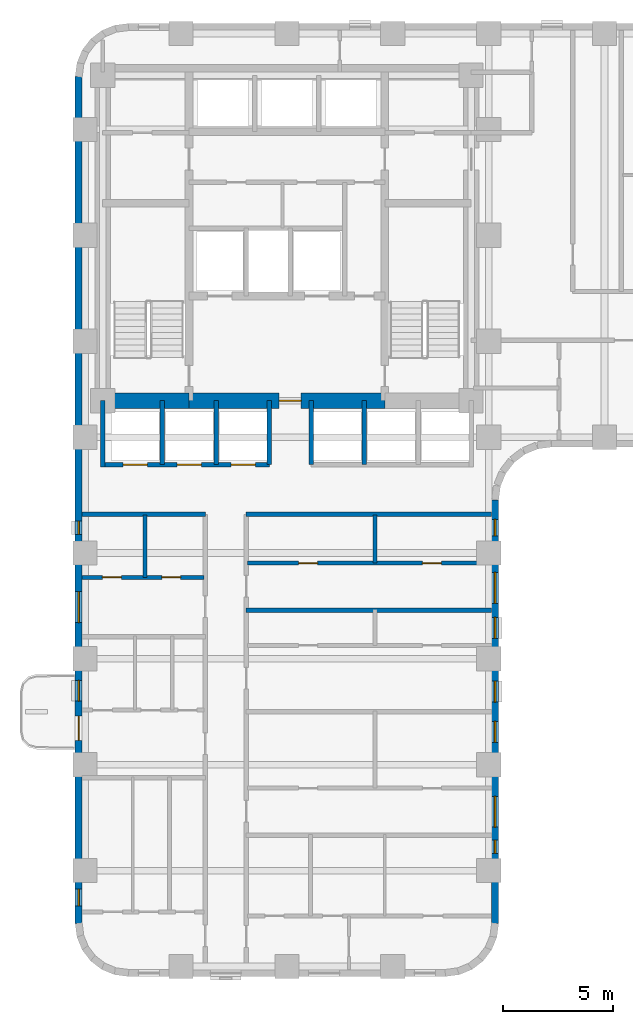
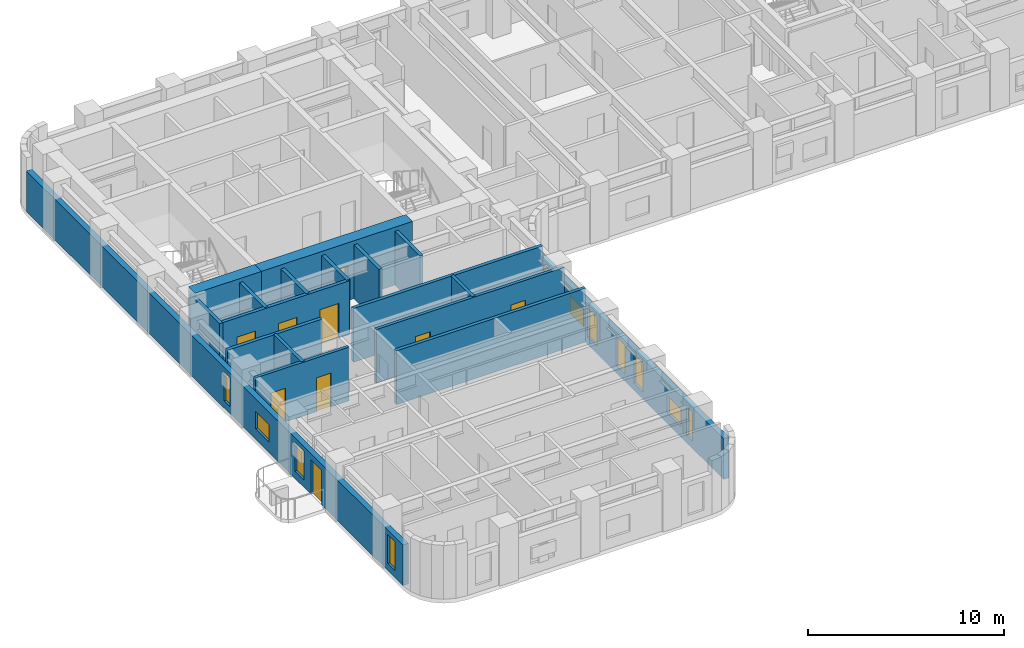
# One storey, part 4 of 12: 18 walls, 11 windows, 9 doors, 20 openings.
"""IFC4 building model written with IfcOpenShell, lengths in metres."""

from ifc_helpers import new_model, si_unit, direction, frame, frame_2d, origin, place, context, subcontext, project, spatial, rectangle, extrude, material, layer, layer_set, type_object, element, fill, save


model = new_model("IFC4")

# Units and contexts
model_context = context("Model", 3, precision=1e-05, world=origin(), true_north=direction((0.0, 1.0)))
body_context = subcontext(model_context, "Body", "Model", "MODEL_VIEW")
ifc_project = project(units=[si_unit("LENGTHUNIT", "METRE"), si_unit("AREAUNIT", "SQUARE_METRE"), si_unit("VOLUMEUNIT", "CUBIC_METRE"), si_unit("PLANEANGLEUNIT", "RADIAN"), si_unit("MASSUNIT", "GRAM", prefix="KILO")], contexts=[model_context])

# Site, building, storey
site_placement = place(None, origin())
site = spatial("IfcSite", under=ifc_project, at=site_placement, CompositionType="ELEMENT")
building_placement = place(site_placement, origin())
building = spatial("IfcBuilding", under=site, at=building_placement, Name="Orvandelia Arch Residences", CompositionType="ELEMENT")
storey_placement = place(building_placement, frame((0.0, 0.0, 39.39990234375)))
storey = spatial("IfcBuildingStorey", under=building, at=storey_placement, Name="L09", CompositionType="ELEMENT", Elevation=39.39990234375)

# Wall
ifc_material_1 = material(Name="Concrete C80/95", Category="concrete")
ifc_layer_1 = layer(ifc_material_1, 0.699951171875, Name="Concrete C80/95", Category="concrete")
ifc_layer_set_1 = layer_set([ifc_layer_1], Name="Concrete C80/95")
wall_type_1 = type_object("IfcWallType", Name="WL-CORE-700", PredefinedType="SHEAR", material=ifc_layer_set_1)
wall_1_placement = place(storey_placement, frame((6.050048828125, 30.89990234375, 0.0), z_axis=(0.0, 0.0, 1.0), x_axis=(1.0, 0.0, 0.0)))
element("IfcWall", 1, at=wall_1_placement, inside=storey, type_object=wall_type_1, Name="Core Shear Wall L09-SW", PredefinedType="SHEAR", context=body_context, shape_type="SweptSolid", body=[
    extrude(rectangle(XDim=3.909912109375, YDim=0.699951171875, at=frame_2d((1.955078125, 0.0))), origin(), (0.0, 0.0, 1.0), 3.60009765625),
])

# Wall, opening, door
wall_2_placement = place(storey_placement, frame((9.9599609375, 30.89990234375, 0.0), z_axis=(0.0, 0.0, 1.0), x_axis=(1.0, 0.0, 0.0)))
wall_2 = element("IfcWall", 2, at=wall_2_placement, inside=storey, type_object=wall_type_1, Name="Core Shear Wall L09-SM", PredefinedType="SHEAR", context=body_context, shape_type="SweptSolid", body=[
    extrude(rectangle(XDim=8.880126953125, YDim=0.699951171875, at=frame_2d((4.43994140625, 0.0))), origin(), (0.0, 0.0, 1.0), 3.60009765625),
])
opening_1_placement = place(wall_2_placement, frame((4.090087890625, 0.0, 0.0)))
opening_1 = element("IfcOpeningElement", 3, at=opening_1_placement, cuts=wall_2, Name="Opening D6", PredefinedType="OPENING", context=body_context, shape_type="SweptSolid", body=[
    extrude(rectangle(XDim=1.0, YDim=2.14990234375, at=frame_2d((0.5, 1.074951171875))), frame((0.0, 0.35986328125, 0.0), z_axis=(0.0, -1.0, 0.0), x_axis=(1.0, 0.0, 0.0)), (0.0, 0.0, 1.0), 0.719970703125),
])
ifc_material_2 = material(Name="Smokeproof Painted Steel Fire Door", Category="steel")
door_type_1 = type_object("IfcDoorType", Name="DR-FD60-1000", OperationType="NOTDEFINED", PredefinedType="DOOR", material=ifc_material_2)
door_1_placement = place(opening_1_placement, origin())
door_1 = element("IfcDoor", 4, at=door_1_placement, inside=storey, type_object=door_type_1, Name="Firefighting Lobby Smokeproof Door L09", OperationType="SINGLE_SWING_LEFT", OverallHeight=2.14990234375, OverallWidth=1.0, PredefinedType="DOOR", context=body_context, shape_type="SweptSolid", body=[
    extrude(rectangle(XDim=1.0, YDim=2.14990234375, at=frame_2d((0.5, 1.074951171875))), frame((0.0, 0.02490234375, 0.0), z_axis=(0.0, -1.0, 0.0), x_axis=(1.0, 0.0, 0.0)), (0.0, 0.0, 1.0), 0.050048828125),
])
fill(opening_1, door_1)

# Walls
ifc_material_3 = material(Name="Fire-Rated Corridor Partition")
ifc_layer_2 = layer(ifc_material_3, 0.199951171875, Name="Fire-Rated Corridor Partition")
ifc_layer_set_2 = layer_set([ifc_layer_2], Name="Fire-Rated Corridor Partition")
wall_type_2 = type_object("IfcWallType", Name="WL-CORR-200", PredefinedType="PARTITIONING", material=ifc_layer_set_2)
wall_3_placement = place(storey_placement, frame((5.1201171875, 25.75, 0.0), z_axis=(0.0, 0.0, 1.0), x_axis=(1.0, 0.0, 0.0)))
element("IfcWall", 5, at=wall_3_placement, inside=storey, type_object=wall_type_2, Name="Interior Partition Wall WL-L09-WCLS-W", PredefinedType="PARTITIONING", context=body_context, shape_type="SweptSolid", body=[
    extrude(rectangle(XDim=5.579833984375, YDim=0.199951171875, at=frame_2d((2.7900390625, 0.0))), origin(), (0.0, 0.0, 1.0), 3.35009765625),
])
wall_4_placement = place(storey_placement, frame((12.550048828125, 25.75, 0.0), z_axis=(0.0, 0.0, 1.0), x_axis=(1.0, 0.0, 0.0)))
element("IfcWall", 6, at=wall_4_placement, inside=storey, type_object=wall_type_2, Name="Interior Partition Wall WL-L09-WCLS-E", PredefinedType="PARTITIONING", context=body_context, shape_type="SweptSolid", body=[
    extrude(rectangle(XDim=11.1298828125, YDim=0.199951171875, at=frame_2d((5.56494140625, 0.0))), origin(), (0.0, 0.0, 1.0), 3.35009765625),
])
ifc_material_4 = material(Name="Concrete C40/50", Category="concrete")
ifc_layer_3 = layer(ifc_material_4, 0.199951171875, Name="Concrete C40/50", Category="concrete")
ifc_layer_set_3 = layer_set([ifc_layer_3], Name="Concrete C40/50")
wall_type_3 = type_object("IfcWallType", Name="WL-DEM-200", PredefinedType="SOLIDWALL", material=ifc_layer_set_3)
wall_5_placement = place(storey_placement, frame((12.550048828125, 21.39990234375, 0.0), z_axis=(0.0, 0.0, 1.0), x_axis=(1.0, 0.0, 0.0)))
element("IfcWall", 7, at=wall_5_placement, inside=storey, type_object=wall_type_3, Name="Interior Partition Wall WL-L09-DEM-WR-214", PredefinedType="SOLIDWALL", context=body_context, shape_type="SweptSolid", body=[
    extrude(rectangle(XDim=11.1298828125, YDim=0.199951171875, at=frame_2d((5.56494140625, 0.0))), origin(), (0.0, 0.0, 1.0), 3.35009765625),
])

# Wall, openings, windows
ifc_material_5 = material(Name="Precast concrete C40/50", Category="concrete")
ifc_layer_4 = layer(ifc_material_5, 0.320068359375, Name="Precast concrete C40/50", Category="concrete")
ifc_layer_set_4 = layer_set([ifc_layer_4], Name="Precast concrete C40/50")
wall_type_4 = type_object("IfcWallType", Name="WL-EXT-STONE-320", PredefinedType="STANDARD", material=ifc_layer_set_4)
wall_6_placement = place(storey_placement, frame((23.840087890625, 26.39990234375, 0.0), z_axis=(0.0, 0.0, 1.0), x_axis=(0.0, -1.0, 0.0)))
wall_6 = element("IfcWall", 8, at=wall_6_placement, inside=storey, type_object=wall_type_4, Name="Coral-Limestone Precast Facade Wall L09-028", PredefinedType="STANDARD", context=body_context, shape_type="SweptSolid", body=[
    extrude(rectangle(XDim=19.199951171875, YDim=0.320068359375, at=frame_2d((9.60009765625, 0.0))), origin(), (0.0, 0.0, 1.0), 2.530029296875),
])
opening_2_placement = place(wall_6_placement, frame((15.4150390625, 0.0, 0.449951171875)))
opening_2 = element("IfcOpeningElement", 9, at=opening_2_placement, cuts=wall_6, Name="Opening W12", PredefinedType="OPENING", context=body_context, shape_type="SweptSolid", body=[
    extrude(rectangle(XDim=0.60009765625, YDim=1.800048828125, at=frame_2d((0.300048828125, 0.89990234375))), frame((0.0, 0.169921875, 0.0), z_axis=(0.0, -1.0, 0.0), x_axis=(1.0, 0.0, 0.0)), (0.0, 0.0, 1.0), 0.340087890625),
])
opening_3_placement = place(wall_6_placement, frame((13.429931640625, 0.0, 0.64990234375)))
opening_3 = element("IfcOpeningElement", 10, at=opening_3_placement, cuts=wall_6, Name="Opening W10", PredefinedType="OPENING", context=body_context, shape_type="SweptSolid", body=[
    extrude(rectangle(XDim=1.39990234375, YDim=1.10009765625, at=frame_2d((0.699951171875, 0.550048828125))), frame((0.0, 0.169921875, 0.0), z_axis=(0.0, -1.0, 0.0), x_axis=(1.0, 0.0, 0.0)), (0.0, 0.0, 1.0), 0.340087890625),
])
opening_4_placement = place(wall_6_placement, frame((8.2099609375, 0.0, 0.449951171875)))
opening_4 = element("IfcOpeningElement", 11, at=opening_4_placement, cuts=wall_6, Name="Opening W4", PredefinedType="OPENING", context=body_context, shape_type="SweptSolid", body=[
    extrude(rectangle(XDim=0.949951171875, YDim=1.800048828125, at=frame_2d((0.47509765625, 0.89990234375))), frame((0.0, 0.169921875, 0.0), z_axis=(0.0, -1.0, 0.0), x_axis=(1.0, 0.0, 0.0)), (0.0, 0.0, 1.0), 0.340087890625),
])
opening_5_placement = place(wall_6_placement, frame((3.284912109375, 0.0, 0.64990234375)))
opening_5 = element("IfcOpeningElement", 12, at=opening_5_placement, cuts=wall_6, Name="Opening W10", PredefinedType="OPENING", context=body_context, shape_type="SweptSolid", body=[
    extrude(rectangle(XDim=1.39990234375, YDim=1.10009765625, at=frame_2d((0.699951171875, 0.550048828125))), frame((0.0, 0.169921875, 0.0), z_axis=(0.0, -1.0, 0.0), x_axis=(1.0, 0.0, 0.0)), (0.0, 0.0, 1.0), 0.340087890625),
])
opening_6_placement = place(wall_6_placement, frame((10.0400390625, 0.0, 0.449951171875)))
opening_6 = element("IfcOpeningElement", 13, at=opening_6_placement, cuts=wall_6, Name="Opening W4", PredefinedType="OPENING", context=body_context, shape_type="SweptSolid", body=[
    extrude(rectangle(XDim=0.949951171875, YDim=1.800048828125, at=frame_2d((0.47509765625, 0.89990234375))), frame((0.0, 0.169921875, 0.0), z_axis=(0.0, -1.0, 0.0), x_axis=(1.0, 0.0, 0.0)), (0.0, 0.0, 1.0), 0.340087890625),
])
opening_7_placement = place(wall_6_placement, frame((5.320068359375, 0.0, 0.449951171875)))
opening_7 = element("IfcOpeningElement", 14, at=opening_7_placement, cuts=wall_6, Name="Opening W4", PredefinedType="OPENING", context=body_context, shape_type="SweptSolid", body=[
    extrude(rectangle(XDim=0.949951171875, YDim=1.800048828125, at=frame_2d((0.47509765625, 0.89990234375))), frame((0.0, 0.169921875, 0.0), z_axis=(0.0, -1.0, 0.0), x_axis=(1.0, 0.0, 0.0)), (0.0, 0.0, 1.0), 0.340087890625),
])
opening_8_placement = place(wall_6_placement, frame((0.8798828125, 0.0, 0.449951171875)))
opening_8 = element("IfcOpeningElement", 15, at=opening_8_placement, cuts=wall_6, Name="Opening W11", PredefinedType="OPENING", context=body_context, shape_type="SweptSolid", body=[
    extrude(rectangle(XDim=0.75, YDim=1.800048828125, at=frame_2d((0.375, 0.89990234375))), frame((0.0, 0.169921875, 0.0), z_axis=(0.0, -1.0, 0.0), x_axis=(1.0, 0.0, 0.0)), (0.0, 0.0, 1.0), 0.340087890625),
])
ifc_material_6 = material(Name="Tempered Low-E Insulated Glazing", Category="glass")
window_type_1 = type_object("IfcWindowType", Name="WIN-BED-0750x1800", PartitioningType="SINGLE_PANEL", PredefinedType="WINDOW", material=ifc_material_6)
window_1_placement = place(opening_8_placement, origin())
window_1 = element("IfcWindow", 16, at=window_1_placement, inside=storey, type_object=window_type_1, Name="Recessed Punched Window L09-025", OverallHeight=1.800048828125, OverallWidth=0.75, PartitioningType="SINGLE_PANEL", PredefinedType="WINDOW", context=body_context, shape_type="SweptSolid", body=[
    extrude(rectangle(XDim=0.75, YDim=1.800048828125, at=frame_2d((0.375, 0.89990234375))), frame((0.0, 0.030029296875, 0.0), z_axis=(0.0, -1.0, 0.0), x_axis=(1.0, 0.0, 0.0)), (0.0, 0.0, 1.0), 0.06005859375),
])
fill(opening_8, window_1)
window_type_2 = type_object("IfcWindowType", Name="WIN-CLR-1400x1100", PartitioningType="SINGLE_PANEL", PredefinedType="WINDOW", material=ifc_material_6)
window_2_placement = place(opening_3_placement, origin())
window_2 = element("IfcWindow", 17, at=window_2_placement, inside=storey, type_object=window_type_2, Name="Recessed Punched Window L09-020", OverallHeight=1.10009765625, OverallWidth=1.39990234375, PartitioningType="SINGLE_PANEL", PredefinedType="WINDOW", context=body_context, shape_type="SweptSolid", body=[
    extrude(rectangle(XDim=1.39990234375, YDim=1.10009765625, at=frame_2d((0.699951171875, 0.550048828125))), frame((0.0, 0.030029296875, 0.0), z_axis=(0.0, -1.0, 0.0), x_axis=(1.0, 0.0, 0.0)), (0.0, 0.0, 1.0), 0.06005859375),
])
fill(opening_3, window_2)
window_3_placement = place(opening_5_placement, origin())
window_3 = element("IfcWindow", 18, at=window_3_placement, inside=storey, type_object=window_type_2, Name="Recessed Punched Window L09-022", OverallHeight=1.10009765625, OverallWidth=1.39990234375, PartitioningType="SINGLE_PANEL", PredefinedType="WINDOW", context=body_context, shape_type="SweptSolid", body=[
    extrude(rectangle(XDim=1.39990234375, YDim=1.10009765625, at=frame_2d((0.699951171875, 0.550048828125))), frame((0.0, 0.030029296875, 0.0), z_axis=(0.0, -1.0, 0.0), x_axis=(1.0, 0.0, 0.0)), (0.0, 0.0, 1.0), 0.06005859375),
])
fill(opening_5, window_3)
window_type_3 = type_object("IfcWindowType", Name="WIN-LAN-0600x1800", PartitioningType="SINGLE_PANEL", PredefinedType="WINDOW", material=ifc_material_6)
window_4_placement = place(opening_2_placement, origin())
window_4 = element("IfcWindow", 19, at=window_4_placement, inside=storey, type_object=window_type_3, Name="Recessed Punched Window L09-019", OverallHeight=1.800048828125, OverallWidth=0.60009765625, PartitioningType="SINGLE_PANEL", PredefinedType="WINDOW", context=body_context, shape_type="SweptSolid", body=[
    extrude(rectangle(XDim=0.60009765625, YDim=1.800048828125, at=frame_2d((0.300048828125, 0.89990234375))), frame((0.0, 0.030029296875, 0.0), z_axis=(0.0, -1.0, 0.0), x_axis=(1.0, 0.0, 0.0)), (0.0, 0.0, 1.0), 0.06005859375),
])
fill(opening_2, window_4)
window_type_4 = type_object("IfcWindowType", Name="WIN-RES-0950x1800", PartitioningType="SINGLE_PANEL", PredefinedType="WINDOW", material=ifc_material_6)
window_5_placement = place(opening_4_placement, origin())
window_5 = element("IfcWindow", 20, at=window_5_placement, inside=storey, type_object=window_type_4, Name="Recessed Punched Window L09-021", OverallHeight=1.800048828125, OverallWidth=0.949951171875, PartitioningType="SINGLE_PANEL", PredefinedType="WINDOW", context=body_context, shape_type="SweptSolid", body=[
    extrude(rectangle(XDim=0.949951171875, YDim=1.800048828125, at=frame_2d((0.47509765625, 0.89990234375))), frame((0.0, 0.030029296875, 0.0), z_axis=(0.0, -1.0, 0.0), x_axis=(1.0, 0.0, 0.0)), (0.0, 0.0, 1.0), 0.06005859375),
])
fill(opening_4, window_5)
window_6_placement = place(opening_6_placement, origin())
window_6 = element("IfcWindow", 21, at=window_6_placement, inside=storey, type_object=window_type_4, Name="Recessed Punched Window L09-023", OverallHeight=1.800048828125, OverallWidth=0.949951171875, PartitioningType="SINGLE_PANEL", PredefinedType="WINDOW", context=body_context, shape_type="SweptSolid", body=[
    extrude(rectangle(XDim=0.949951171875, YDim=1.800048828125, at=frame_2d((0.47509765625, 0.89990234375))), frame((0.0, 0.030029296875, 0.0), z_axis=(0.0, -1.0, 0.0), x_axis=(1.0, 0.0, 0.0)), (0.0, 0.0, 1.0), 0.06005859375),
])
fill(opening_6, window_6)
window_7_placement = place(opening_7_placement, origin())
window_7 = element("IfcWindow", 22, at=window_7_placement, inside=storey, type_object=window_type_4, Name="Recessed Punched Window L09-024", OverallHeight=1.800048828125, OverallWidth=0.949951171875, PartitioningType="SINGLE_PANEL", PredefinedType="WINDOW", context=body_context, shape_type="SweptSolid", body=[
    extrude(rectangle(XDim=0.949951171875, YDim=1.800048828125, at=frame_2d((0.47509765625, 0.89990234375))), frame((0.0, 0.030029296875, 0.0), z_axis=(0.0, -1.0, 0.0), x_axis=(1.0, 0.0, 0.0)), (0.0, 0.0, 1.0), 0.06005859375),
])
fill(opening_7, window_7)

# Wall, openings, door, windows
wall_7_placement = place(storey_placement, frame((4.9599609375, 7.199951171875, 0.0), z_axis=(0.0, 0.0, 1.0), x_axis=(0.0, 1.0, 0.0)))
wall_7 = element("IfcWall", 23, at=wall_7_placement, inside=storey, type_object=wall_type_4, Name="Coral-Limestone Precast Facade Wall L09-042", PredefinedType="STANDARD", context=body_context, shape_type="SweptSolid", body=[
    extrude(rectangle(XDim=38.400146484375, YDim=0.320068359375, at=frame_2d((19.2001953125, 0.0))), origin(), (0.0, 0.0, 1.0), 2.530029296875),
])
opening_9_placement = place(wall_7_placement, frame((8.300048828125, 0.0, 0.0)))
opening_9 = element("IfcOpeningElement", 24, at=opening_9_placement, cuts=wall_7, Name="Opening BD1", PredefinedType="OPENING", context=body_context, shape_type="SweptSolid", body=[
    extrude(rectangle(XDim=1.10009765625, YDim=2.14990234375, at=frame_2d((0.550048828125, 1.074951171875))), frame((0.0, 0.169921875, 0.0), z_axis=(0.0, -1.0, 0.0), x_axis=(1.0, 0.0, 0.0)), (0.0, 0.0, 1.0), 0.340087890625),
])
opening_10_placement = place(wall_7_placement, frame((10.076904296875, 0.0, 0.449951171875)))
opening_10 = element("IfcOpeningElement", 25, at=opening_10_placement, cuts=wall_7, Name="Opening W4", PredefinedType="OPENING", context=body_context, shape_type="SweptSolid", body=[
    extrude(rectangle(XDim=0.949951171875, YDim=1.800048828125, at=frame_2d((0.47509765625, 0.89990234375))), frame((0.0, 0.169921875, 0.0), z_axis=(0.0, -1.0, 0.0), x_axis=(1.0, 0.0, 0.0)), (0.0, 0.0, 1.0), 0.340087890625),
])
opening_11_placement = place(wall_7_placement, frame((13.64599609375, 0.0, 0.64990234375)))
opening_11 = element("IfcOpeningElement", 26, at=opening_11_placement, cuts=wall_7, Name="Opening W10", PredefinedType="OPENING", context=body_context, shape_type="SweptSolid", body=[
    extrude(rectangle(XDim=1.39990234375, YDim=1.10009765625, at=frame_2d((0.699951171875, 0.550048828125))), frame((0.0, 0.169921875, 0.0), z_axis=(0.0, -1.0, 0.0), x_axis=(1.0, 0.0, 0.0)), (0.0, 0.0, 1.0), 0.340087890625),
])
opening_12_placement = place(wall_7_placement, frame((0.805908203125, 0.0, 0.449951171875)))
opening_12 = element("IfcOpeningElement", 27, at=opening_12_placement, cuts=wall_7, Name="Opening W11", PredefinedType="OPENING", context=body_context, shape_type="SweptSolid", body=[
    extrude(rectangle(XDim=0.75, YDim=1.800048828125, at=frame_2d((0.375, 0.89990234375))), frame((0.0, 0.169921875, 0.0), z_axis=(0.0, -1.0, 0.0), x_axis=(1.0, 0.0, 0.0)), (0.0, 0.0, 1.0), 0.340087890625),
])
opening_13_placement = place(wall_7_placement, frame((17.64501953125, 0.0, 0.449951171875)))
opening_13 = element("IfcOpeningElement", 28, at=opening_13_placement, cuts=wall_7, Name="Opening W12", PredefinedType="OPENING", context=body_context, shape_type="SweptSolid", body=[
    extrude(rectangle(XDim=0.60009765625, YDim=1.800048828125, at=frame_2d((0.300048828125, 0.89990234375))), frame((0.0, 0.169921875, 0.0), z_axis=(0.0, -1.0, 0.0), x_axis=(1.0, 0.0, 0.0)), (0.0, 0.0, 1.0), 0.340087890625),
])
ifc_material_7 = material(Name="Thermally Broken Aluminium Glazed Door", Category="aluminium")
door_type_2 = type_object("IfcDoorType", Name="DR-BAL-GLAZ-1100", OperationType="NOTDEFINED", PredefinedType="DOOR", material=ifc_material_7)
door_2_placement = place(opening_9_placement, origin())
door_2 = element("IfcDoor", 29, at=door_2_placement, inside=storey, type_object=door_type_2, Name="Tree Balcony Glazed Door BAL-L09-W1", OperationType="SINGLE_SWING_RIGHT", OverallHeight=2.14990234375, OverallWidth=1.10009765625, PredefinedType="DOOR", context=body_context, shape_type="SweptSolid", body=[
    extrude(rectangle(XDim=1.10009765625, YDim=2.14990234375, at=frame_2d((0.550048828125, 1.074951171875))), frame((0.0, 0.02490234375, 0.0), z_axis=(0.0, -1.0, 0.0), x_axis=(1.0, 0.0, 0.0)), (0.0, 0.0, 1.0), 0.050048828125),
])
fill(opening_9, door_2)
window_8_placement = place(opening_12_placement, origin())
window_8 = element("IfcWindow", 30, at=window_8_placement, inside=storey, type_object=window_type_1, Name="Recessed Punched Window L09-032", OverallHeight=1.800048828125, OverallWidth=0.75, PartitioningType="SINGLE_PANEL", PredefinedType="WINDOW", context=body_context, shape_type="SweptSolid", body=[
    extrude(rectangle(XDim=0.75, YDim=1.800048828125, at=frame_2d((0.375, 0.89990234375))), frame((0.0, 0.030029296875, 0.0), z_axis=(0.0, -1.0, 0.0), x_axis=(1.0, 0.0, 0.0)), (0.0, 0.0, 1.0), 0.06005859375),
])
fill(opening_12, window_8)
window_9_placement = place(opening_11_placement, origin())
window_9 = element("IfcWindow", 31, at=window_9_placement, inside=storey, type_object=window_type_2, Name="Recessed Punched Window L09-031", OverallHeight=1.10009765625, OverallWidth=1.39990234375, PartitioningType="SINGLE_PANEL", PredefinedType="WINDOW", context=body_context, shape_type="SweptSolid", body=[
    extrude(rectangle(XDim=1.39990234375, YDim=1.10009765625, at=frame_2d((0.699951171875, 0.550048828125))), frame((0.0, 0.030029296875, 0.0), z_axis=(0.0, -1.0, 0.0), x_axis=(1.0, 0.0, 0.0)), (0.0, 0.0, 1.0), 0.06005859375),
])
fill(opening_11, window_9)
window_10_placement = place(opening_13_placement, origin())
window_10 = element("IfcWindow", 32, at=window_10_placement, inside=storey, type_object=window_type_3, Name="Recessed Punched Window L09-033", OverallHeight=1.800048828125, OverallWidth=0.60009765625, PartitioningType="SINGLE_PANEL", PredefinedType="WINDOW", context=body_context, shape_type="SweptSolid", body=[
    extrude(rectangle(XDim=0.60009765625, YDim=1.800048828125, at=frame_2d((0.300048828125, 0.89990234375))), frame((0.0, 0.030029296875, 0.0), z_axis=(0.0, -1.0, 0.0), x_axis=(1.0, 0.0, 0.0)), (0.0, 0.0, 1.0), 0.06005859375),
])
fill(opening_13, window_10)
window_11_placement = place(opening_10_placement, origin())
window_11 = element("IfcWindow", 33, at=window_11_placement, inside=storey, type_object=window_type_4, Name="Recessed Punched Window L09-030", OverallHeight=1.800048828125, OverallWidth=0.949951171875, PartitioningType="SINGLE_PANEL", PredefinedType="WINDOW", context=body_context, shape_type="SweptSolid", body=[
    extrude(rectangle(XDim=0.949951171875, YDim=1.800048828125, at=frame_2d((0.47509765625, 0.89990234375))), frame((0.0, 0.030029296875, 0.0), z_axis=(0.0, -1.0, 0.0), x_axis=(1.0, 0.0, 0.0)), (0.0, 0.0, 1.0), 0.06005859375),
])
fill(opening_10, window_11)

# Wall, openings, doors
ifc_material_8 = material(Name="Fire-Rated Shaft Enclosure Wall")
ifc_layer_5 = layer(ifc_material_8, 0.199951171875, Name="Fire-Rated Shaft Enclosure Wall")
ifc_layer_set_5 = layer_set([ifc_layer_5], Name="Fire-Rated Shaft Enclosure Wall")
wall_type_5 = type_object("IfcWallType", Name="WL-SHAFT-200", PredefinedType="POLYGONAL", material=ifc_layer_set_5)
wall_8_placement = place(storey_placement, frame((6.050048828125, 28.0, 0.0), z_axis=(0.0, 0.0, 1.0), x_axis=(1.0, 0.0, 0.0)))
wall_8 = element("IfcWall", 34, at=wall_8_placement, inside=storey, type_object=wall_type_5, Name="Interior Partition Wall WL-L09-BNKL-S", PredefinedType="POLYGONAL", context=body_context, shape_type="SweptSolid", body=[
    extrude(rectangle(XDim=7.550048828125, YDim=0.199951171875, at=frame_2d((3.77490234375, 0.0))), origin(), (0.0, 0.0, 1.0), 3.35009765625),
])
opening_14_placement = place(wall_8_placement, frame((0.925048828125, 0.0, 0.0)))
opening_14 = element("IfcOpeningElement", 35, at=opening_14_placement, cuts=wall_8, Name="Opening LD", PredefinedType="OPENING", context=body_context, shape_type="SweptSolid", body=[
    extrude(rectangle(XDim=1.10009765625, YDim=2.14990234375, at=frame_2d((0.550048828125, 1.074951171875))), frame((0.0, 0.10986328125, 0.0), z_axis=(0.0, -1.0, 0.0), x_axis=(1.0, 0.0, 0.0)), (0.0, 0.0, 1.0), 0.219970703125),
])
opening_15_placement = place(wall_8_placement, frame((3.375, 0.0, 0.0)))
opening_15 = element("IfcOpeningElement", 36, at=opening_15_placement, cuts=wall_8, Name="Opening LD", PredefinedType="OPENING", context=body_context, shape_type="SweptSolid", body=[
    extrude(rectangle(XDim=1.10009765625, YDim=2.14990234375, at=frame_2d((0.550048828125, 1.074951171875))), frame((0.0, 0.10986328125, 0.0), z_axis=(0.0, -1.0, 0.0), x_axis=(1.0, 0.0, 0.0)), (0.0, 0.0, 1.0), 0.219970703125),
])
opening_16_placement = place(wall_8_placement, frame((5.824951171875, 0.0, 0.0)))
opening_16 = element("IfcOpeningElement", 37, at=opening_16_placement, cuts=wall_8, Name="Opening LD", PredefinedType="OPENING", context=body_context, shape_type="SweptSolid", body=[
    extrude(rectangle(XDim=1.10009765625, YDim=2.14990234375, at=frame_2d((0.550048828125, 1.074951171875))), frame((0.0, 0.10986328125, 0.0), z_axis=(0.0, -1.0, 0.0), x_axis=(1.0, 0.0, 0.0)), (0.0, 0.0, 1.0), 0.219970703125),
])
ifc_material_9 = material(Name="Brushed Stainless Steel Sliding Lift Door", Category="steel")
door_type_3 = type_object("IfcDoorType", Name="DR-LIFT-1100", OperationType="NOTDEFINED", PredefinedType="DOOR", material=ifc_material_9)
door_3_placement = place(opening_14_placement, origin())
door_3 = element("IfcDoor", 38, at=door_3_placement, inside=storey, type_object=door_type_3, Name="Lift Landing Door LD-PL1", OperationType="SLIDING_TO_LEFT", OverallHeight=2.14990234375, OverallWidth=1.10009765625, PredefinedType="DOOR", context=body_context, shape_type="SweptSolid", body=[
    extrude(rectangle(XDim=1.10009765625, YDim=2.14990234375, at=frame_2d((0.550048828125, 1.074951171875))), frame((0.0, 0.02490234375, 0.0), z_axis=(0.0, -1.0, 0.0), x_axis=(1.0, 0.0, 0.0)), (0.0, 0.0, 1.0), 0.050048828125),
])
fill(opening_14, door_3)
door_4_placement = place(opening_15_placement, origin())
door_4 = element("IfcDoor", 39, at=door_4_placement, inside=storey, type_object=door_type_3, Name="Lift Landing Door LD-PL2", OperationType="SLIDING_TO_RIGHT", OverallHeight=2.14990234375, OverallWidth=1.10009765625, PredefinedType="DOOR", context=body_context, shape_type="SweptSolid", body=[
    extrude(rectangle(XDim=1.10009765625, YDim=2.14990234375, at=frame_2d((0.550048828125, 1.074951171875))), frame((0.0, 0.02490234375, 0.0), z_axis=(0.0, -1.0, 0.0), x_axis=(1.0, 0.0, 0.0)), (0.0, 0.0, 1.0), 0.050048828125),
])
fill(opening_15, door_4)
door_5_placement = place(opening_16_placement, origin())
door_5 = element("IfcDoor", 40, at=door_5_placement, inside=storey, type_object=door_type_3, Name="Lift Landing Door LD-PL3", OperationType="SLIDING_TO_LEFT", OverallHeight=2.14990234375, OverallWidth=1.10009765625, PredefinedType="DOOR", context=body_context, shape_type="SweptSolid", body=[
    extrude(rectangle(XDim=1.10009765625, YDim=2.14990234375, at=frame_2d((0.550048828125, 1.074951171875))), frame((0.0, 0.02490234375, 0.0), z_axis=(0.0, -1.0, 0.0), x_axis=(1.0, 0.0, 0.0)), (0.0, 0.0, 1.0), 0.050048828125),
])
fill(opening_16, door_5)

# Walls
wall_9_placement = place(storey_placement, frame((6.050048828125, 27.89990234375, 0.0), z_axis=(0.0, 0.0, 1.0), x_axis=(0.0, 1.0, 0.0)))
element("IfcWall", 41, at=wall_9_placement, inside=storey, type_object=wall_type_5, Name="Interior Partition Wall WL-L09-BNKL-W", PredefinedType="POLYGONAL", context=body_context, shape_type="SweptSolid", body=[
    extrude(rectangle(XDim=3.0, YDim=0.199951171875, at=frame_2d((1.5, 0.0))), origin(), (0.0, 0.0, 1.0), 3.35009765625),
])
for number, where, z_axis, x_axis, name in (
    (42, (13.60009765625, 28.0, 0.0), (0.0, 0.0, 1.0), (0.0, 1.0, 0.0), "Interior Partition Wall WL-L09-BNKL-E"),
    (43, (15.5, 28.0, 0.0), (0.0, 0.0, 1.0), (0.0, 1.0, 0.0), "Interior Partition Wall WL-L09-BNKM-W"),
    (44, (8.75, 28.0, 0.0), (0.0, 0.0, 1.0), (0.0, 1.0, 0.0), "Interior Partition Wall WL-L09-BNKD-875"),
    (45, (11.199951171875, 28.0, 0.0), (0.0, 0.0, 1.0), (0.0, 1.0, 0.0), "Interior Partition Wall WL-L09-BNKD-1120"),
    (46, (17.89990234375, 28.0, 0.0), (0.0, 0.0, 1.0), (0.0, 1.0, 0.0), "Interior Partition Wall WL-L09-BNKD-1789"),
):
    element("IfcWall", number, at=place(storey_placement, frame(where, z_axis=z_axis, x_axis=x_axis)), inside=storey, type_object=wall_type_5, Name=name, PredefinedType="POLYGONAL", context=body_context, shape_type="SweptSolid", body=[
        extrude(rectangle(XDim=2.89990234375, YDim=0.199951171875, at=frame_2d((1.449951171875, 0.0))), origin(), (0.0, 0.0, 1.0), 3.35009765625),
    ])

# Wall, openings, doors
ifc_material_10 = material(Name="Moisture-Resistant Plumbing Wall")
ifc_layer_6 = layer(ifc_material_10, 0.179931640625, Name="Moisture-Resistant Plumbing Wall")
ifc_layer_set_6 = layer_set([ifc_layer_6], Name="Moisture-Resistant Plumbing Wall")
wall_type_6 = type_object("IfcWallType", Name="WL-WET-180", PredefinedType="PLUMBINGWALL", material=ifc_layer_set_6)
wall_10_placement = place(storey_placement, frame((5.1201171875, 22.89208984375, 0.0), z_axis=(0.0, 0.0, 1.0), x_axis=(1.0, 0.0, 0.0)))
wall_10 = element("IfcWall", 47, at=wall_10_placement, inside=storey, type_object=wall_type_6, Name="Interior Partition Wall WL-L09-U03-HZ", PredefinedType="PLUMBINGWALL", context=body_context, shape_type="SweptSolid", body=[
    extrude(rectangle(XDim=5.519775390625, YDim=0.179931640625, at=frame_2d((2.759765625, 0.0))), origin(), (0.0, 0.0, 1.0), 3.35009765625),
])
opening_17_placement = place(wall_10_placement, frame((0.916015625, 0.0, 0.0)))
opening_17 = element("IfcOpeningElement", 48, at=opening_17_placement, cuts=wall_10, Name="Opening D4", PredefinedType="OPENING", context=body_context, shape_type="SweptSolid", body=[
    extrude(rectangle(XDim=0.860107421875, YDim=2.10009765625, at=frame_2d((0.43017578125, 1.050048828125))), frame((0.0, 0.10009765625, 0.0), z_axis=(0.0, -1.0, 0.0), x_axis=(1.0, 0.0, 0.0)), (0.0, 0.0, 1.0), 0.199951171875),
])
opening_18_placement = place(wall_10_placement, frame((3.60595703125, 0.0, 0.0)))
opening_18 = element("IfcOpeningElement", 49, at=opening_18_placement, cuts=wall_10, Name="Opening D4", PredefinedType="OPENING", context=body_context, shape_type="SweptSolid", body=[
    extrude(rectangle(XDim=0.860107421875, YDim=2.10009765625, at=frame_2d((0.43017578125, 1.050048828125))), frame((0.0, 0.10009765625, 0.0), z_axis=(0.0, -1.0, 0.0), x_axis=(1.0, 0.0, 0.0)), (0.0, 0.0, 1.0), 0.199951171875),
])
ifc_material_11 = material(Name="Moisture-Sealed Timber Bathroom Door", Category="wood")
door_type_4 = type_object("IfcDoorType", Name="DR-WET-900", OperationType="NOTDEFINED", PredefinedType="DOOR", material=ifc_material_11)
door_6_placement = place(opening_17_placement, origin())
door_6 = element("IfcDoor", 50, at=door_6_placement, inside=storey, type_object=door_type_4, Name="DR-L09-U03-KIT", OperationType="SINGLE_SWING_LEFT", OverallHeight=2.10009765625, OverallWidth=0.860107421875, PredefinedType="DOOR", context=body_context, shape_type="SweptSolid", body=[
    extrude(rectangle(XDim=0.860107421875, YDim=2.10009765625, at=frame_2d((0.43017578125, 1.050048828125))), frame((0.0, 0.02490234375, 0.0), z_axis=(0.0, -1.0, 0.0), x_axis=(1.0, 0.0, 0.0)), (0.0, 0.0, 1.0), 0.050048828125),
])
fill(opening_17, door_6)
door_7_placement = place(opening_18_placement, origin())
door_7 = element("IfcDoor", 51, at=door_7_placement, inside=storey, type_object=door_type_4, Name="DR-L09-U03-BTH", OperationType="SINGLE_SWING_RIGHT", OverallHeight=2.10009765625, OverallWidth=0.860107421875, PredefinedType="DOOR", context=body_context, shape_type="SweptSolid", body=[
    extrude(rectangle(XDim=0.860107421875, YDim=2.10009765625, at=frame_2d((0.43017578125, 1.050048828125))), frame((0.0, 0.02490234375, 0.0), z_axis=(0.0, -1.0, 0.0), x_axis=(1.0, 0.0, 0.0)), (0.0, 0.0, 1.0), 0.050048828125),
])
fill(opening_18, door_7)

# Wall
wall_11_placement = place(storey_placement, frame((7.9619140625, 22.89208984375, 0.0), z_axis=(0.0, 0.0, 1.0), x_axis=(0.0, 1.0, 0.0)))
element("IfcWall", 52, at=wall_11_placement, inside=storey, type_object=wall_type_6, Name="Interior Partition Wall WL-L09-U03-V1", PredefinedType="PLUMBINGWALL", context=body_context, shape_type="SweptSolid", body=[
    extrude(rectangle(XDim=2.827880859375, YDim=0.179931640625, at=frame_2d((1.4140625, 0.0))), origin(), (0.0, 0.0, 1.0), 3.35009765625),
])

# Wall, openings, doors
wall_12_placement = place(storey_placement, frame((12.610107421875, 23.5400390625, 0.0), z_axis=(0.0, 0.0, 1.0), x_axis=(1.0, 0.0, 0.0)))
wall_12 = element("IfcWall", 53, at=wall_12_placement, inside=storey, type_object=wall_type_6, Name="Interior Partition Wall WL-L09-U07-HZ", PredefinedType="PLUMBINGWALL", context=body_context, shape_type="SweptSolid", body=[
    extrude(rectangle(XDim=11.06982421875, YDim=0.179931640625, at=frame_2d((5.534912109375, 0.0))), origin(), (0.0, 0.0, 1.0), 3.35009765625),
])
opening_19_placement = place(wall_12_placement, frame((2.319091796875, 0.0, 0.0)))
opening_19 = element("IfcOpeningElement", 54, at=opening_19_placement, cuts=wall_12, Name="Opening D4", PredefinedType="OPENING", context=body_context, shape_type="SweptSolid", body=[
    extrude(rectangle(XDim=0.860107421875, YDim=2.10009765625, at=frame_2d((0.43017578125, 1.050048828125))), frame((0.0, 0.10009765625, 0.0), z_axis=(0.0, -1.0, 0.0), x_axis=(1.0, 0.0, 0.0)), (0.0, 0.0, 1.0), 0.199951171875),
])
opening_20_placement = place(wall_12_placement, frame((7.93408203125, 0.0, 0.0)))
opening_20 = element("IfcOpeningElement", 55, at=opening_20_placement, cuts=wall_12, Name="Opening D4", PredefinedType="OPENING", context=body_context, shape_type="SweptSolid", body=[
    extrude(rectangle(XDim=0.860107421875, YDim=2.10009765625, at=frame_2d((0.43017578125, 1.050048828125))), frame((0.0, 0.10009765625, 0.0), z_axis=(0.0, -1.0, 0.0), x_axis=(1.0, 0.0, 0.0)), (0.0, 0.0, 1.0), 0.199951171875),
])
door_8_placement = place(opening_19_placement, origin())
door_8 = element("IfcDoor", 56, at=door_8_placement, inside=storey, type_object=door_type_4, Name="DR-L09-U07-KIT", OperationType="SINGLE_SWING_LEFT", OverallHeight=2.10009765625, OverallWidth=0.860107421875, PredefinedType="DOOR", context=body_context, shape_type="SweptSolid", body=[
    extrude(rectangle(XDim=0.860107421875, YDim=2.10009765625, at=frame_2d((0.43017578125, 1.050048828125))), frame((0.0, 0.02490234375, 0.0), z_axis=(0.0, -1.0, 0.0), x_axis=(1.0, 0.0, 0.0)), (0.0, 0.0, 1.0), 0.050048828125),
])
fill(opening_19, door_8)
door_9_placement = place(opening_20_placement, origin())
door_9 = element("IfcDoor", 57, at=door_9_placement, inside=storey, type_object=door_type_4, Name="DR-L09-U07-BTH", OperationType="SINGLE_SWING_RIGHT", OverallHeight=2.10009765625, OverallWidth=0.860107421875, PredefinedType="DOOR", context=body_context, shape_type="SweptSolid", body=[
    extrude(rectangle(XDim=0.860107421875, YDim=2.10009765625, at=frame_2d((0.43017578125, 1.050048828125))), frame((0.0, 0.02490234375, 0.0), z_axis=(0.0, -1.0, 0.0), x_axis=(1.0, 0.0, 0.0)), (0.0, 0.0, 1.0), 0.050048828125),
])
fill(opening_20, door_9)

# Wall
wall_13_placement = place(storey_placement, frame((18.39794921875, 23.5400390625, 0.0), z_axis=(0.0, 0.0, 1.0), x_axis=(0.0, 1.0, 0.0)))
element("IfcWall", 58, at=wall_13_placement, inside=storey, type_object=wall_type_6, Name="Interior Partition Wall WL-L09-U07-V1", PredefinedType="PLUMBINGWALL", context=body_context, shape_type="SweptSolid", body=[
    extrude(rectangle(XDim=2.179931640625, YDim=0.179931640625, at=frame_2d((1.08984375, 0.0))), origin(), (0.0, 0.0, 1.0), 3.35009765625),
])

save(model, "model.ifc")
